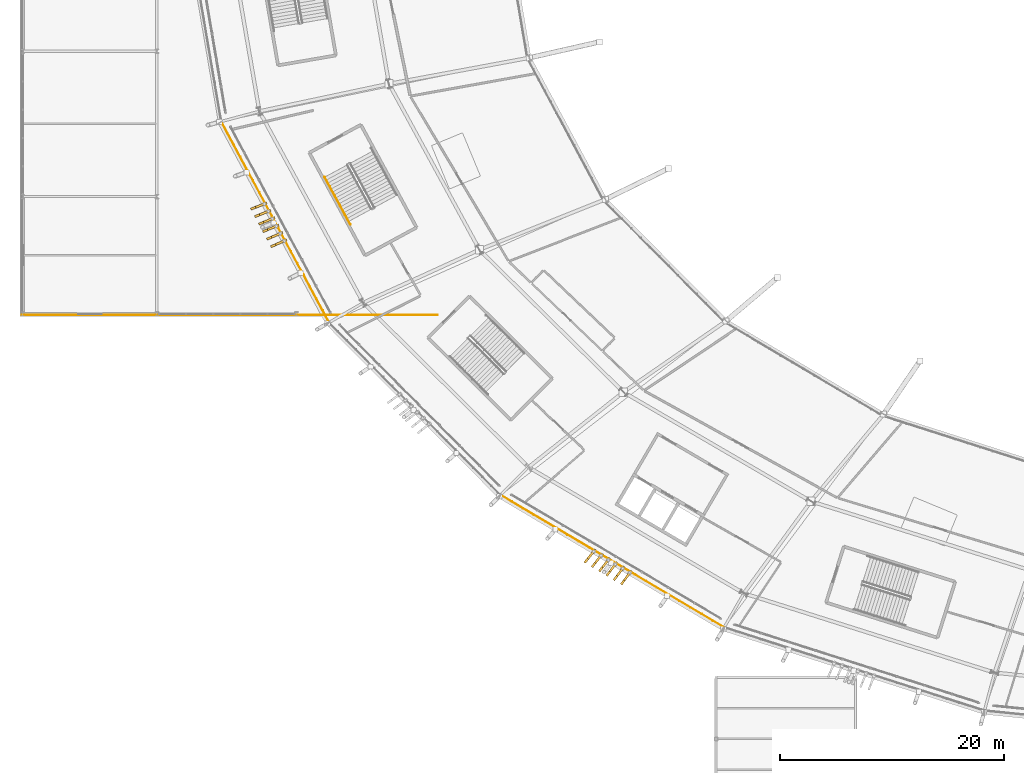
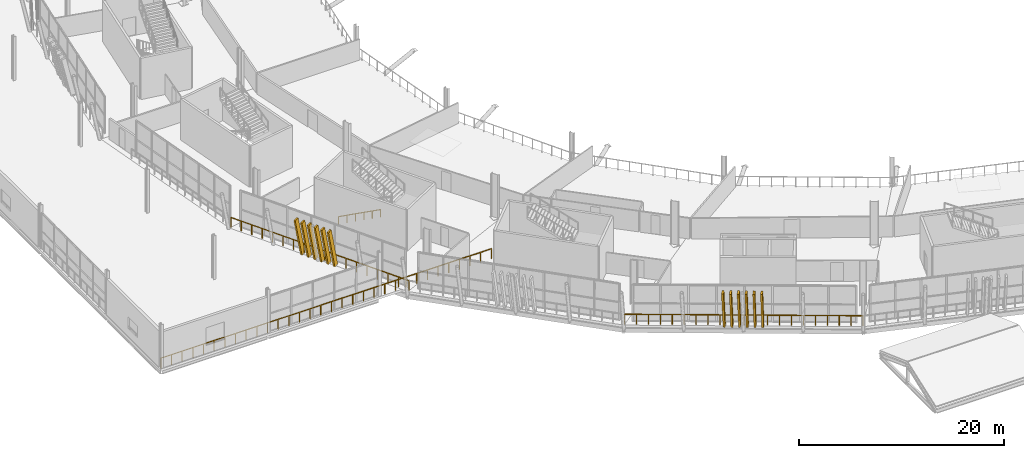
# One storey, part 139 of 168: 12 shading devices, 4 railings.
"""IFC4 building model written with IfcOpenShell, lengths in metres."""

from ifc_helpers import new_model, si_unit, direction, frame, origin, origin_2d, place, context, subcontext, project, spatial, rectangle, extrude, material, material_profile, profile_set, type_object, element, save


model = new_model("IFC4")

# Units and contexts
model_context = context("Model", 3, precision=1e-05, world=origin(), true_north=direction((0.0, 1.0)))
body_context = subcontext(model_context, "Body", "Model", "MODEL_VIEW")
ifc_project = project(units=[si_unit("LENGTHUNIT", "METRE"), si_unit("AREAUNIT", "SQUARE_METRE"), si_unit("VOLUMEUNIT", "CUBIC_METRE"), si_unit("PLANEANGLEUNIT", "RADIAN"), si_unit("MASSUNIT", "GRAM", prefix="KILO")], contexts=[model_context])

# Site, building, storey
site_placement = place(None, origin())
site = spatial("IfcSite", under=ifc_project, at=site_placement, CompositionType="ELEMENT")
building_placement = place(site_placement, origin())
building = spatial("IfcBuilding", under=site, at=building_placement, Name="Zlatoyarsky Gate Stadium", CompositionType="ELEMENT")
storey_placement = place(building_placement, frame((0.0, 0.0, 15.60009765625)))
storey = spatial("IfcBuildingStorey", under=building, at=storey_placement, Name="L03", CompositionType="ELEMENT", Elevation=15.60009765625)

# Railings
ifc_material_1 = material(Name="Powder-coated steel tubular guardrail", Category="steel")
railing_type_1 = type_object("IfcRailingType", Name="CONCOURSE SLAB EDGE GUARDRAIL 1200", PredefinedType="GUARDRAIL", material=ifc_material_1)
railing_1_placement = place(storey_placement, frame((17.7666015625, 60.712158203125, 0.0)))
element("IfcRailing", 1, at=railing_1_placement, inside=storey, type_object=railing_type_1, Name="L03 outer slab edge guardrail 13", PredefinedType="GUARDRAIL", context=body_context, shape_type="SweptSolid", body=[
    extrude(rectangle(XDim=0.048095703125, YDim=0.048095703125, at=origin_2d()), frame((0.0, 0.0, 1.17578125), z_axis=(0.472758767062, -0.881191890661, 0.0), x_axis=(0.881191890661, 0.472758767062, 0.0)), (0.0, 0.0, 1.0), 20.396484375),
    extrude(rectangle(XDim=0.0419921875, YDim=0.0419921875, at=origin_2d()), origin(), (0.0, 0.0, 1.0), 1.15185546875),
    extrude(rectangle(XDim=0.0419921875, YDim=0.0419921875, at=origin_2d()), frame((0.567138671875, -1.05712890625, 0.0)), (0.0, 0.0, 1.0), 1.15185546875),
    extrude(rectangle(XDim=0.0419921875, YDim=0.0419921875, at=origin_2d()), frame((1.134521484375, -2.114501953125, 0.0)), (0.0, 0.0, 1.0), 1.15185546875),
    extrude(rectangle(XDim=0.0419921875, YDim=0.0419921875, at=origin_2d()), frame((1.70166015625, -3.171630859375, 0.0)), (0.0, 0.0, 1.0), 1.15185546875),
    extrude(rectangle(XDim=0.0419921875, YDim=0.0419921875, at=origin_2d()), frame((2.268798828125, -4.22900390625, 0.0)), (0.0, 0.0, 1.0), 1.15185546875),
    extrude(rectangle(XDim=0.0419921875, YDim=0.0419921875, at=origin_2d()), frame((2.8359375, -5.2861328125, 0.0)), (0.0, 0.0, 1.0), 1.15185546875),
    extrude(rectangle(XDim=0.0419921875, YDim=0.0419921875, at=origin_2d()), frame((3.4033203125, -6.343505859375, 0.0)), (0.0, 0.0, 1.0), 1.15185546875),
    extrude(rectangle(XDim=0.0419921875, YDim=0.0419921875, at=origin_2d()), frame((3.970458984375, -7.400634765625, 0.0)), (0.0, 0.0, 1.0), 1.15185546875),
    extrude(rectangle(XDim=0.0419921875, YDim=0.0419921875, at=origin_2d()), frame((4.53759765625, -8.4580078125, 0.0)), (0.0, 0.0, 1.0), 1.15185546875),
    extrude(rectangle(XDim=0.0419921875, YDim=0.0419921875, at=origin_2d()), frame((5.10498046875, -9.51513671875, 0.0)), (0.0, 0.0, 1.0), 1.15185546875),
    extrude(rectangle(XDim=0.0419921875, YDim=0.0419921875, at=origin_2d()), frame((5.672119140625, -10.572509765625, 0.0)), (0.0, 0.0, 1.0), 1.15185546875),
    extrude(rectangle(XDim=0.0419921875, YDim=0.0419921875, at=origin_2d()), frame((6.2392578125, -11.629638671875, 0.0)), (0.0, 0.0, 1.0), 1.15185546875),
    extrude(rectangle(XDim=0.0419921875, YDim=0.0419921875, at=origin_2d()), frame((6.806640625, -12.68701171875, 0.0)), (0.0, 0.0, 1.0), 1.15185546875),
    extrude(rectangle(XDim=0.0419921875, YDim=0.0419921875, at=origin_2d()), frame((7.373779296875, -13.744140625, 0.0)), (0.0, 0.0, 1.0), 1.15185546875),
    extrude(rectangle(XDim=0.0419921875, YDim=0.0419921875, at=origin_2d()), frame((7.94091796875, -14.801513671875, 0.0)), (0.0, 0.0, 1.0), 1.15185546875),
    extrude(rectangle(XDim=0.0419921875, YDim=0.0419921875, at=origin_2d()), frame((8.508056640625, -15.858642578125, 0.0)), (0.0, 0.0, 1.0), 1.15185546875),
    extrude(rectangle(XDim=0.0419921875, YDim=0.0419921875, at=origin_2d()), frame((9.075439453125, -16.916015625, 0.0)), (0.0, 0.0, 1.0), 1.15185546875),
    extrude(rectangle(XDim=0.0419921875, YDim=0.0419921875, at=origin_2d()), frame((9.642578125, -17.97314453125, 0.0)), (0.0, 0.0, 1.0), 1.15185546875),
])
railing_2_placement = place(storey_placement, frame((42.74853515625, 27.3046875, 0.0)))
element("IfcRailing", 2, at=railing_2_placement, inside=storey, type_object=railing_type_1, Name="L03 outer slab edge guardrail 15", PredefinedType="GUARDRAIL", context=body_context, shape_type="SweptSolid", body=[
    extrude(rectangle(XDim=0.048095703125, YDim=0.048095703125, at=origin_2d()), frame((0.0, 0.0, 1.17578125), z_axis=(0.860356384529, -0.509692938542, 0.0), x_axis=(0.509692938542, 0.860356384529, 0.0)), (0.0, 0.0, 1.0), 23.235107421875),
    extrude(rectangle(XDim=0.0419921875, YDim=0.0419921875, at=origin_2d()), origin(), (0.0, 0.0, 1.0), 1.15185546875),
    extrude(rectangle(XDim=0.0419921875, YDim=0.0419921875, at=origin_2d()), frame((0.99951171875, -0.592041015625, 0.0)), (0.0, 0.0, 1.0), 1.15185546875),
    extrude(rectangle(XDim=0.0419921875, YDim=0.0419921875, at=origin_2d()), frame((1.9990234375, -1.184326171875, 0.0)), (0.0, 0.0, 1.0), 1.15185546875),
    extrude(rectangle(XDim=0.0419921875, YDim=0.0419921875, at=origin_2d()), frame((2.99853515625, -1.7763671875, 0.0)), (0.0, 0.0, 1.0), 1.15185546875),
    extrude(rectangle(XDim=0.0419921875, YDim=0.0419921875, at=origin_2d()), frame((3.998046875, -2.36865234375, 0.0)), (0.0, 0.0, 1.0), 1.15185546875),
    extrude(rectangle(XDim=0.0419921875, YDim=0.0419921875, at=origin_2d()), frame((4.99755859375, -2.960693359375, 0.0)), (0.0, 0.0, 1.0), 1.15185546875),
    extrude(rectangle(XDim=0.0419921875, YDim=0.0419921875, at=origin_2d()), frame((5.9970703125, -3.552734375, 0.0)), (0.0, 0.0, 1.0), 1.15185546875),
    extrude(rectangle(XDim=0.0419921875, YDim=0.0419921875, at=origin_2d()), frame((6.99658203125, -4.14501953125, 0.0)), (0.0, 0.0, 1.0), 1.15185546875),
    extrude(rectangle(XDim=0.0419921875, YDim=0.0419921875, at=origin_2d()), frame((7.99609375, -4.737060546875, 0.0)), (0.0, 0.0, 1.0), 1.15185546875),
    extrude(rectangle(XDim=0.0419921875, YDim=0.0419921875, at=origin_2d()), frame((8.99560546875, -5.329345703125, 0.0)), (0.0, 0.0, 1.0), 1.15185546875),
    extrude(rectangle(XDim=0.0419921875, YDim=0.0419921875, at=origin_2d()), frame((9.9951171875, -5.92138671875, 0.0)), (0.0, 0.0, 1.0), 1.15185546875),
    extrude(rectangle(XDim=0.0419921875, YDim=0.0419921875, at=origin_2d()), frame((10.994873046875, -6.513427734375, 0.0)), (0.0, 0.0, 1.0), 1.15185546875),
    extrude(rectangle(XDim=0.0419921875, YDim=0.0419921875, at=origin_2d()), frame((11.994384765625, -7.105712890625, 0.0)), (0.0, 0.0, 1.0), 1.15185546875),
    extrude(rectangle(XDim=0.0419921875, YDim=0.0419921875, at=origin_2d()), frame((12.993896484375, -7.69775390625, 0.0)), (0.0, 0.0, 1.0), 1.15185546875),
    extrude(rectangle(XDim=0.0419921875, YDim=0.0419921875, at=origin_2d()), frame((13.993408203125, -8.2900390625, 0.0)), (0.0, 0.0, 1.0), 1.15185546875),
    extrude(rectangle(XDim=0.0419921875, YDim=0.0419921875, at=origin_2d()), frame((14.992919921875, -8.882080078125, 0.0)), (0.0, 0.0, 1.0), 1.15185546875),
    extrude(rectangle(XDim=0.0419921875, YDim=0.0419921875, at=origin_2d()), frame((15.992431640625, -9.47412109375, 0.0)), (0.0, 0.0, 1.0), 1.15185546875),
    extrude(rectangle(XDim=0.0419921875, YDim=0.0419921875, at=origin_2d()), frame((16.991943359375, -10.06640625, 0.0)), (0.0, 0.0, 1.0), 1.15185546875),
    extrude(rectangle(XDim=0.0419921875, YDim=0.0419921875, at=origin_2d()), frame((17.991455078125, -10.658447265625, 0.0)), (0.0, 0.0, 1.0), 1.15185546875),
    extrude(rectangle(XDim=0.0419921875, YDim=0.0419921875, at=origin_2d()), frame((18.990966796875, -11.250732421875, 0.0)), (0.0, 0.0, 1.0), 1.15185546875),
    extrude(rectangle(XDim=0.0419921875, YDim=0.0419921875, at=origin_2d()), frame((19.990478515625, -11.8427734375, 0.0)), (0.0, 0.0, 1.0), 1.15185546875),
])
railing_3_placement = place(storey_placement, frame((37.080078125, 43.419921875, 0.0)))
element("IfcRailing", 3, at=railing_3_placement, inside=storey, type_object=railing_type_1, Name="V4_WEST L03 S slab edge guardrail", PredefinedType="GUARDRAIL", context=body_context, shape_type="SweptSolid", body=[
    extrude(rectangle(XDim=0.048095703125, YDim=0.048095703125, at=origin_2d()), frame((0.0, 0.0, 1.17578125), z_axis=(-1.0, 0.0, 0.0), x_axis=(0.0, -1.0, 0.0)), (0.0, 0.0, 1.0), 37.16015625),
    extrude(rectangle(XDim=0.0419921875, YDim=0.0419921875, at=origin_2d()), origin(), (0.0, 0.0, 1.0), 1.15185546875),
    extrude(rectangle(XDim=0.0419921875, YDim=0.0419921875, at=origin_2d()), frame((-1.19873046875, 0.0, 0.0)), (0.0, 0.0, 1.0), 1.15185546875),
    extrude(rectangle(XDim=0.0419921875, YDim=0.0419921875, at=origin_2d()), frame((-2.3974609375, 0.0, 0.0)), (0.0, 0.0, 1.0), 1.15185546875),
    extrude(rectangle(XDim=0.0419921875, YDim=0.0419921875, at=origin_2d()), frame((-3.59619140625, 0.0, 0.0)), (0.0, 0.0, 1.0), 1.15185546875),
    extrude(rectangle(XDim=0.0419921875, YDim=0.0419921875, at=origin_2d()), frame((-4.794921875, 0.0, 0.0)), (0.0, 0.0, 1.0), 1.15185546875),
    extrude(rectangle(XDim=0.0419921875, YDim=0.0419921875, at=origin_2d()), frame((-5.99365234375, 0.0, 0.0)), (0.0, 0.0, 1.0), 1.15185546875),
    extrude(rectangle(XDim=0.0419921875, YDim=0.0419921875, at=origin_2d()), frame((-7.1923828125, 0.0, 0.0)), (0.0, 0.0, 1.0), 1.15185546875),
    extrude(rectangle(XDim=0.0419921875, YDim=0.0419921875, at=origin_2d()), frame((-8.39111328125, 0.0, 0.0)), (0.0, 0.0, 1.0), 1.15185546875),
    extrude(rectangle(XDim=0.0419921875, YDim=0.0419921875, at=origin_2d()), frame((-9.589599609375, 0.0, 0.0)), (0.0, 0.0, 1.0), 1.15185546875),
    extrude(rectangle(XDim=0.0419921875, YDim=0.0419921875, at=origin_2d()), frame((-10.788330078125, 0.0, 0.0)), (0.0, 0.0, 1.0), 1.15185546875),
    extrude(rectangle(XDim=0.0419921875, YDim=0.0419921875, at=origin_2d()), frame((-11.987060546875, 0.0, 0.0)), (0.0, 0.0, 1.0), 1.15185546875),
    extrude(rectangle(XDim=0.0419921875, YDim=0.0419921875, at=origin_2d()), frame((-13.185791015625, 0.0, 0.0)), (0.0, 0.0, 1.0), 1.15185546875),
    extrude(rectangle(XDim=0.0419921875, YDim=0.0419921875, at=origin_2d()), frame((-14.384521484375, 0.0, 0.0)), (0.0, 0.0, 1.0), 1.15185546875),
    extrude(rectangle(XDim=0.0419921875, YDim=0.0419921875, at=origin_2d()), frame((-15.583251953125, 0.0, 0.0)), (0.0, 0.0, 1.0), 1.15185546875),
    extrude(rectangle(XDim=0.0419921875, YDim=0.0419921875, at=origin_2d()), frame((-16.781982421875, 0.0, 0.0)), (0.0, 0.0, 1.0), 1.15185546875),
    extrude(rectangle(XDim=0.0419921875, YDim=0.0419921875, at=origin_2d()), frame((-17.980712890625, 0.0, 0.0)), (0.0, 0.0, 1.0), 1.15185546875),
    extrude(rectangle(XDim=0.0419921875, YDim=0.0419921875, at=origin_2d()), frame((-19.179443359375, 0.0, 0.0)), (0.0, 0.0, 1.0), 1.15185546875),
    extrude(rectangle(XDim=0.0419921875, YDim=0.0419921875, at=origin_2d()), frame((-20.378173828125, 0.0, 0.0)), (0.0, 0.0, 1.0), 1.15185546875),
    extrude(rectangle(XDim=0.0419921875, YDim=0.0419921875, at=origin_2d()), frame((-21.576904296875, 0.0, 0.0)), (0.0, 0.0, 1.0), 1.15185546875),
    extrude(rectangle(XDim=0.0419921875, YDim=0.0419921875, at=origin_2d()), frame((-22.775634765625, 0.0, 0.0)), (0.0, 0.0, 1.0), 1.15185546875),
    extrude(rectangle(XDim=0.0419921875, YDim=0.0419921875, at=origin_2d()), frame((-23.974365234375, 0.0, 0.0)), (0.0, 0.0, 1.0), 1.15185546875),
    extrude(rectangle(XDim=0.0419921875, YDim=0.0419921875, at=origin_2d()), frame((-25.173095703125, 0.0, 0.0)), (0.0, 0.0, 1.0), 1.15185546875),
    extrude(rectangle(XDim=0.0419921875, YDim=0.0419921875, at=origin_2d()), frame((-26.371826171875, 0.0, 0.0)), (0.0, 0.0, 1.0), 1.15185546875),
    extrude(rectangle(XDim=0.0419921875, YDim=0.0419921875, at=origin_2d()), frame((-27.570556640625, 0.0, 0.0)), (0.0, 0.0, 1.0), 1.15185546875),
    extrude(rectangle(XDim=0.0419921875, YDim=0.0419921875, at=origin_2d()), frame((-28.76904296875, 0.0, 0.0)), (0.0, 0.0, 1.0), 1.15185546875),
    extrude(rectangle(XDim=0.0419921875, YDim=0.0419921875, at=origin_2d()), frame((-29.9677734375, 0.0, 0.0)), (0.0, 0.0, 1.0), 1.15185546875),
    extrude(rectangle(XDim=0.0419921875, YDim=0.0419921875, at=origin_2d()), frame((-31.16650390625, 0.0, 0.0)), (0.0, 0.0, 1.0), 1.15185546875),
    extrude(rectangle(XDim=0.0419921875, YDim=0.0419921875, at=origin_2d()), frame((-32.365234375, 0.0, 0.0)), (0.0, 0.0, 1.0), 1.15185546875),
    extrude(rectangle(XDim=0.0419921875, YDim=0.0419921875, at=origin_2d()), frame((-33.56396484375, 0.0, 0.0)), (0.0, 0.0, 1.0), 1.15185546875),
    extrude(rectangle(XDim=0.0419921875, YDim=0.0419921875, at=origin_2d()), frame((-34.7626953125, 0.0, 0.0)), (0.0, 0.0, 1.0), 1.15185546875),
    extrude(rectangle(XDim=0.0419921875, YDim=0.0419921875, at=origin_2d()), frame((-35.96142578125, 0.0, 0.0)), (0.0, 0.0, 1.0), 1.15185546875),
    extrude(rectangle(XDim=0.0419921875, YDim=0.0419921875, at=origin_2d()), frame((-37.16015625, 0.0, 0.0)), (0.0, 0.0, 1.0), 1.15185546875),
])

# Shading devices
ifc_material_2 = material(Name="Precast concrete C40/50 stone-toned architectural rib", Category="masonry")
ifc_material_profile = material_profile(ifc_material_2, rectangle(XDim=0.199951171875, YDim=0.47998046875, at=origin_2d()), Name="RIB 200X480")
ifc_profile_set = profile_set([ifc_material_profile], Name="Precast concrete C40/50 stone-toned architectural rib")
shading_device_type = type_object("IfcShadingDeviceType", Name="PRECAST FLUTED GATE LOUVRE BLADE 200X480", PredefinedType="SHUTTER", material=ifc_profile_set)
for number, where, z_axis, x_axis, name in (
    (4, (21.610107421875, 53.340087890625, -0.010009765625), (-0.206608951703, -0.079854053292, 0.97515951067), (0.360508745614, -0.932755833182, 0.0), "Leaning bowl louvre fin L03-13-1"),
    (5, (21.964599609375, 52.67919921875, -0.010009765625), (-0.205793043267, -0.081847183544, 0.975166786703), (0.369560369764, -0.929206722479, 0.0), "Leaning bowl louvre fin L03-13-2"),
    (6, (22.319091796875, 52.01806640625, -0.010009765625), (-0.204977926852, -0.083738490058, 0.975177888791), (0.378183571957, -0.925730622753, 0.0), "Leaning bowl louvre fin L03-13-3"),
    (7, (22.673583984375, 51.357177734375, -0.010009765625), (-0.204160138444, -0.085730908986, 0.975176316937), (0.387169720357, -0.922008463973, 0.0), "Leaning bowl louvre fin L03-13-4"),
    (8, (23.028076171875, 50.6962890625, -0.010009765625), (-0.203341409477, -0.087722914591, 0.975170221781), (0.396117808554, -0.918199696007, 0.0), "Leaning bowl louvre fin L03-13-5"),
    (9, (23.382568359375, 50.035400390625, -0.010009765625), (-0.202521751379, -0.089714479168, 0.975159603576), (0.405025327301, -0.914305465501, 0.0), "Leaning bowl louvre fin L03-13-6"),
    (10, (51.0703125, 22.260498046875, -0.010009765625), (-0.138557475081, -0.172788119735, 0.975164648548), (0.780148129587, -0.62559483366, 0.0), "Leaning bowl louvre fin L03-15-1"),
    (11, (51.715576171875, 21.878173828125, -0.010009765625), (-0.137075913493, -0.17396328194, 0.975165099087), (0.785461088365, -0.618911042609, 0.0), "Leaning bowl louvre fin L03-15-2"),
    (12, (52.360595703125, 21.495849609375, -0.010009765625), (-0.135544926764, -0.175089507735, 0.975177541328), (0.790741722009, -0.612149923691, 0.0), "Leaning bowl louvre fin L03-15-3"),
    (13, (53.006103515625, 21.113525390625, -0.010009765625), (-0.134112555343, -0.176262215594, 0.975164321462), (0.795828694121, -0.605521832483, 0.0), "Leaning bowl louvre fin L03-15-4"),
    (14, (53.651123046875, 20.731201171875, -0.010009765625), (-0.132579385525, -0.177436688219, 0.975160975536), (0.80107818866, -0.5985597177, 0.0), "Leaning bowl louvre fin L03-15-5"),
    (15, (54.29638671875, 20.348876953125, -0.010009765625), (-0.131097145623, -0.178559830067, 0.975156359512), (0.806074913347, -0.591813512918, 0.0), "Leaning bowl louvre fin L03-15-6"),
):
    element("IfcShadingDevice", number, at=place(storey_placement, frame(where, z_axis=z_axis, x_axis=x_axis)), inside=storey, type_object=shading_device_type, Name=name, PredefinedType="SHUTTER", context=body_context, shape_type="SweptSolid", body=[
        extrude(rectangle(XDim=0.199951171875, YDim=0.47998046875, at=origin_2d()), origin(), (0.0, 0.0, 1.0), 4.778564453125),
    ])

# Railing
ifc_material_3 = material(Name="Brushed stainless steel 316 handrail", Category="steel")
railing_type_2 = type_object("IfcRailingType", Name="STAINLESS STEEL TUBULAR HANDRAIL 900", PredefinedType="HANDRAIL", material=ifc_material_3)
railing_4_placement = place(storey_placement, frame((27.013427734375, 55.736572265625, 0.16650390625)))
element("IfcRailing", 16, at=railing_4_placement, inside=storey, type_object=railing_type_2, Name="ST-15 L03 stair handrail 1", PredefinedType="HANDRAIL", context=body_context, shape_type="SweptSolid", body=[
    extrude(rectangle(XDim=0.048095703125, YDim=0.048095703125, at=origin_2d()), frame((0.0, 0.0, 0.8759765625), z_axis=(0.419331144084, -0.772873453596, 0.476264649462), x_axis=(0.878962478599, 0.4768909322, 0.0)), (0.0, 0.0, 1.0), 5.458740234375),
    extrude(rectangle(XDim=0.0419921875, YDim=0.0419921875, at=origin_2d()), origin(), (0.0, 0.0, 1.0), 0.851806640625),
    extrude(rectangle(XDim=0.0419921875, YDim=0.0419921875, at=origin_2d()), frame((0.457763671875, -0.84375, 0.52001953125)), (0.0, 0.0, 1.0), 0.851806640625),
    extrude(rectangle(XDim=0.0419921875, YDim=0.0419921875, at=origin_2d()), frame((0.91552734375, -1.6875, 1.0400390625)), (0.0, 0.0, 1.0), 0.851806640625),
    extrude(rectangle(XDim=0.0419921875, YDim=0.0419921875, at=origin_2d()), frame((1.37353515625, -2.531494140625, 1.559814453125)), (0.0, 0.0, 1.0), 0.851806640625),
    extrude(rectangle(XDim=0.0419921875, YDim=0.0419921875, at=origin_2d()), frame((1.831298828125, -3.375244140625, 2.079833984375)), (0.0, 0.0, 1.0), 0.851806640625),
    extrude(rectangle(XDim=0.0419921875, YDim=0.0419921875, at=origin_2d()), frame((2.2890625, -4.218994140625, 2.599853515625)), (0.0, 0.0, 1.0), 0.851806640625),
])

save(model, "model.ifc")
